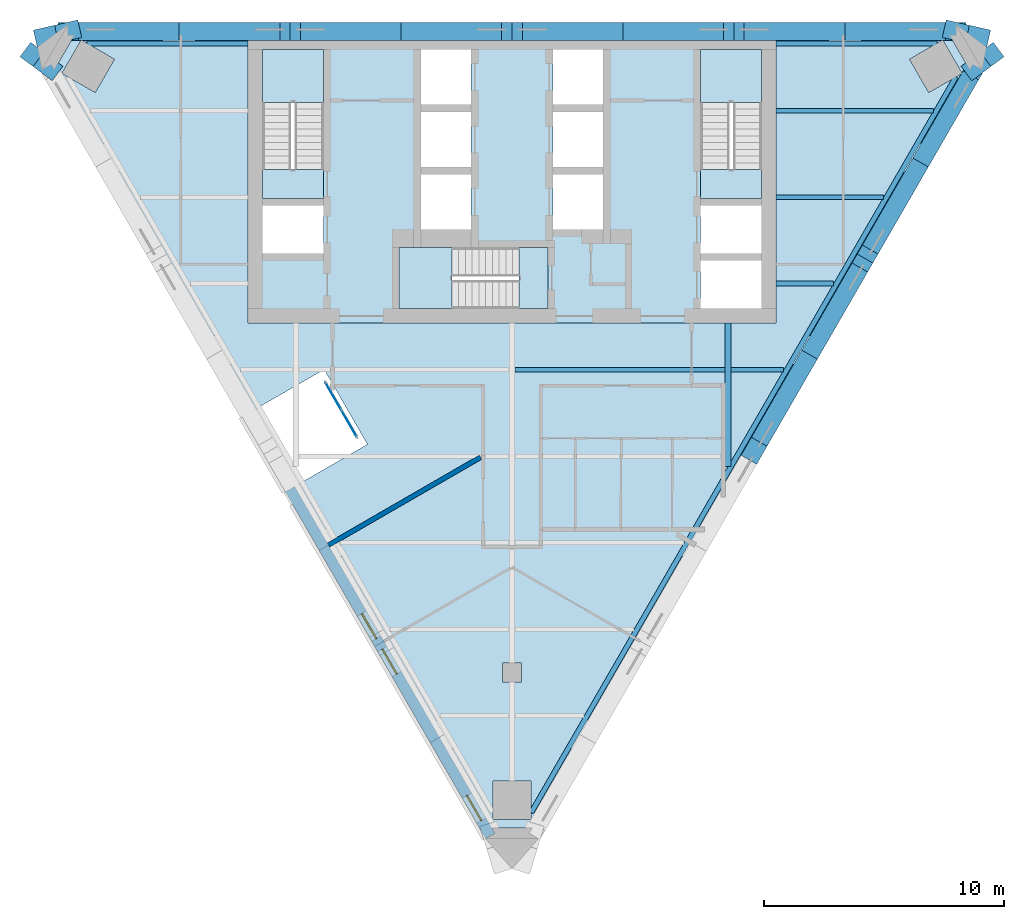
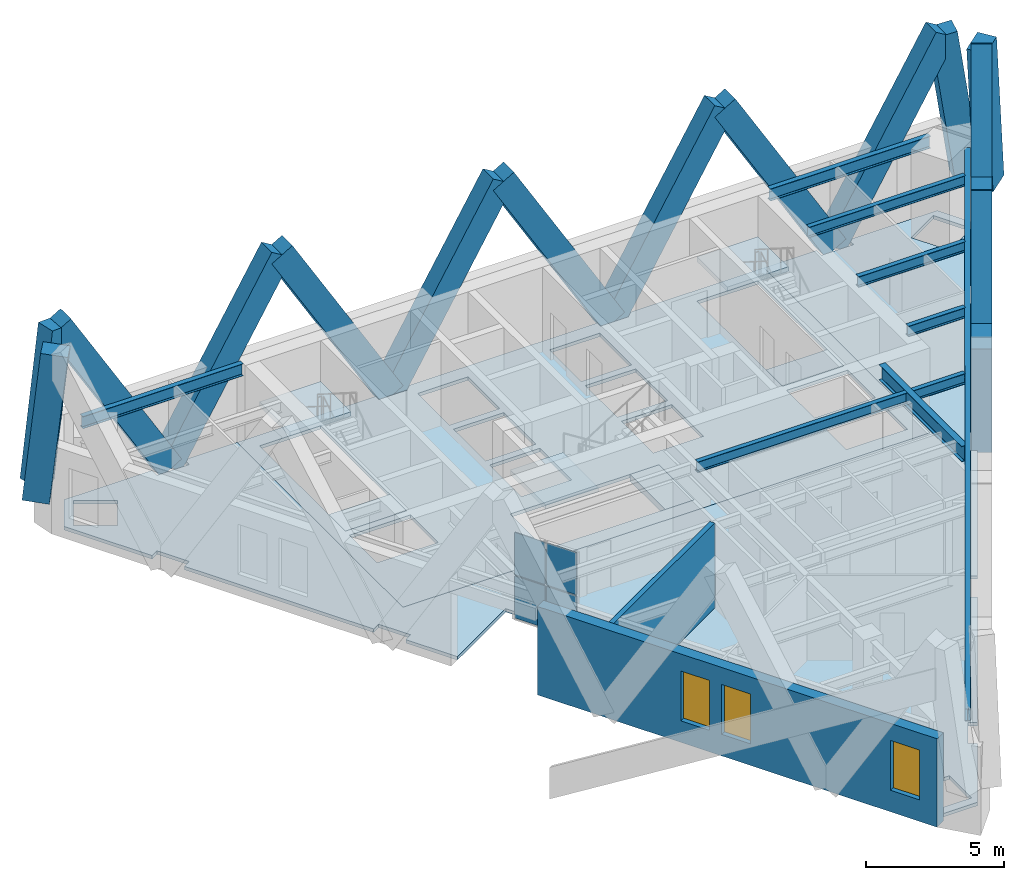
# One storey, part 3 of 8: 16 members, 9 beams, 8 slabs, 4 plates, 3 windows, 2 walls, 3 openings, 4 elements without a shape of their own.
"""IFC4 building model written with IfcOpenShell, lengths in metres."""

from ifc_helpers import new_model, si_unit, direction, frame, frame_2d, origin, origin_2d, place, context, subcontext, project, spatial, polyline, rectangle, i_section, outline, extrude, material, layer, layer_set, material_profile, profile_set, type_object, element, fill, aggregate, save


model = new_model("IFC4")

# Units and contexts
model_context = context("Model", 3, precision=1e-05, world=origin(), true_north=direction((0.0, 1.0)))
body_context = subcontext(model_context, "Body", "Model", "MODEL_VIEW")
ifc_project = project(units=[si_unit("LENGTHUNIT", "METRE"), si_unit("AREAUNIT", "SQUARE_METRE"), si_unit("VOLUMEUNIT", "CUBIC_METRE"), si_unit("PLANEANGLEUNIT", "RADIAN"), si_unit("MASSUNIT", "GRAM", prefix="KILO")], contexts=[model_context])

# Site, building, storey
site_placement = place(None, origin())
site = spatial("IfcSite", under=ifc_project, at=site_placement, CompositionType="ELEMENT")
building_placement = place(site_placement, origin())
building = spatial("IfcBuilding", under=site, at=building_placement, Name="Aloe Facet Convention Tower", CompositionType="ELEMENT")
storey_placement = place(building_placement, frame((0.0, 0.0, 262.10009765625)))
storey = spatial("IfcBuildingStorey", under=building, at=storey_placement, Name="L64", CompositionType="ELEMENT", Elevation=262.10009765625)

# Beams
ifc_material_1 = material(Name="Steel S355", Category="steel")
ifc_material_profile_1 = material_profile(ifc_material_1, i_section(OverallWidth=0.19140625, OverallDepth=0.4599609375, WebThickness=0.010009765625, FlangeThickness=0.01611328125, FilletRadius=0.01025390625, at=origin_2d()), Name="UB 457x191x82")
ifc_profile_set_1 = profile_set([ifc_material_profile_1], Name="Steel S355")
beam_type_1 = type_object("IfcBeamType", Name="SF-B-UB457x191x82", PredefinedType="BEAM", material=ifc_profile_set_1)
beam_1_placement = place(storey_placement, frame((80.12646484375, 120.60009765625, 3.52001953125), z_axis=(1.0, 0.0, 0.0), x_axis=(0.0, 1.0, 0.0)))
element("IfcBeam", 1, at=beam_1_placement, inside=storey, type_object=beam_type_1, Name="Floor beam FB-Z5B-022", PredefinedType="BEAM", context=body_context, shape_type="SweptSolid", body=[
    extrude(i_section(OverallWidth=0.19140625, OverallDepth=0.4599609375, WebThickness=0.010009765625, FlangeThickness=0.01611328125, FilletRadius=0.01025390625, at=origin_2d()), origin(), (0.0, 0.0, 1.0), 8.7470703125),
])
beam_2_placement = place(storey_placement, frame((89.12646484375, 120.60009765625, 3.52001953125), z_axis=(1.0, 0.0, 0.0), x_axis=(0.0, 1.0, 0.0)))
element("IfcBeam", 2, at=beam_2_placement, inside=storey, type_object=beam_type_1, Name="Floor beam FB-Z5B-023", PredefinedType="BEAM", context=body_context, shape_type="SweptSolid", body=[
    extrude(i_section(OverallWidth=0.19140625, OverallDepth=0.4599609375, WebThickness=0.010009765625, FlangeThickness=0.01611328125, FilletRadius=0.01025390625, at=origin_2d()), origin(), (0.0, 0.0, 1.0), 2.185791015625),
])
beam_3_placement = place(storey_placement, frame((91.0, 124.199951171875, 3.52001953125), z_axis=(1.0, 0.0, 0.0), x_axis=(0.0, 1.0, 0.0)))
element("IfcBeam", 3, at=beam_3_placement, inside=storey, type_object=beam_type_1, Name="Floor beam FB-Z5B-024", PredefinedType="BEAM", context=body_context, shape_type="SweptSolid", body=[
    extrude(i_section(OverallWidth=0.19140625, OverallDepth=0.4599609375, WebThickness=0.010009765625, FlangeThickness=0.01611328125, FilletRadius=0.01025390625, at=origin_2d()), origin(), (0.0, 0.0, 1.0), 2.390869140625),
])
beam_4_placement = place(storey_placement, frame((91.0, 127.800048828125, 3.52001953125), z_axis=(1.0, 0.0, 0.0), x_axis=(0.0, 1.0, 0.0)))
element("IfcBeam", 4, at=beam_4_placement, inside=storey, type_object=beam_type_1, Name="Floor beam FB-Z5B-025", PredefinedType="BEAM", context=body_context, shape_type="SweptSolid", body=[
    extrude(i_section(OverallWidth=0.19140625, OverallDepth=0.4599609375, WebThickness=0.010009765625, FlangeThickness=0.01611328125, FilletRadius=0.01025390625, at=origin_2d()), origin(), (0.0, 0.0, 1.0), 4.46923828125),
])
beam_5_placement = place(storey_placement, frame((91.0, 131.39990234375, 3.52001953125), z_axis=(1.0, 0.0, 0.0), x_axis=(0.0, 1.0, 0.0)))
element("IfcBeam", 5, at=beam_5_placement, inside=storey, type_object=beam_type_1, Name="Floor beam FB-Z5B-026", PredefinedType="BEAM", context=body_context, shape_type="SweptSolid", body=[
    extrude(i_section(OverallWidth=0.19140625, OverallDepth=0.4599609375, WebThickness=0.010009765625, FlangeThickness=0.01611328125, FilletRadius=0.01025390625, at=origin_2d()), origin(), (0.0, 0.0, 1.0), 6.547607421875),
])
ifc_material_2 = material(Name="Steel S355", Category="steel")
ifc_material_profile_2 = material_profile(ifc_material_2, i_section(OverallWidth=0.209228515625, OverallDepth=0.533203125, WebThickness=0.010009765625, FlangeThickness=0.015625, FilletRadius=0.0126953125, at=origin_2d()), Name="UB 533x210x92")
ifc_profile_set_2 = profile_set([ifc_material_profile_2], Name="Steel S355")
beam_type_2 = type_object("IfcBeamType", Name="SF-B-UB533x210x92", PredefinedType="BEAM", material=ifc_profile_set_2)
for number, where, z_axis, x_axis, name in (
    (6, (62.3076171875, 134.1953125, 3.4833984375), (1.0, 0.0, 0.0), (0.0, 1.0, 0.0), "Floor beam FB-Z5B-001"),
    (7, (91.0, 134.1953125, 3.4833984375), (1.0, 0.0, 0.0), (0.0, 1.0, 0.0), "Floor beam FB-Z5B-003"),
):
    element("IfcBeam", number, at=place(storey_placement, frame(where, z_axis=z_axis, x_axis=x_axis)), inside=storey, type_object=beam_type_2, Name=name, PredefinedType="BEAM", context=body_context, shape_type="SweptSolid", body=[
        extrude(i_section(OverallWidth=0.209228515625, OverallDepth=0.533203125, WebThickness=0.010009765625, FlangeThickness=0.015625, FilletRadius=0.0126953125, at=origin_2d()), origin(), (0.0, 0.0, 1.0), 6.6923828125),
    ])
beam_6_placement = place(storey_placement, frame((98.492431640625, 132.809814453125, 3.4833984375), z_axis=(-0.499997782969, -0.866026683784, 0.0), x_axis=(0.866026683784, -0.499997782969, 0.0)))
element("IfcBeam", 8, at=beam_6_placement, inside=storey, type_object=beam_type_2, Name="Floor beam FB-Z5B-004", PredefinedType="BEAM", context=body_context, shape_type="SweptSolid", body=[
    extrude(i_section(OverallWidth=0.209228515625, OverallDepth=0.533203125, WebThickness=0.010009765625, FlangeThickness=0.015625, FilletRadius=0.0126953125, at=origin_2d()), origin(), (0.0, 0.0, 1.0), 35.385009765625),
])
ifc_material_3 = material(Name="Steel S355", Category="steel")
ifc_material_profile_3 = material_profile(ifc_material_3, i_section(OverallWidth=0.2529296875, OverallDepth=0.677978515625, WebThickness=0.01171875, FlangeThickness=0.01611328125, FilletRadius=0.01513671875, at=origin_2d()), Name="UB 686x254x125")
ifc_profile_set_3 = profile_set([ifc_material_profile_3], Name="Steel S355")
beam_type_3 = type_object("IfcBeamType", Name="SF-B-UB686x254x125", PredefinedType="BEAM", material=ifc_profile_set_3)
beam_7_placement = place(storey_placement, frame((89.0, 122.550048828125, 3.410888671875), z_axis=(0.0, -1.0, 0.0), x_axis=(1.0, 0.0, 0.0)))
element("IfcBeam", 9, at=beam_7_placement, inside=storey, type_object=beam_type_3, Name="Floor beam FB-Z5B-008", PredefinedType="BEAM", context=body_context, shape_type="SweptSolid", body=[
    extrude(i_section(OverallWidth=0.2529296875, OverallDepth=0.677978515625, WebThickness=0.01171875, FlangeThickness=0.01611328125, FilletRadius=0.01513671875, at=origin_2d()), origin(), (0.0, 0.0, 1.0), 5.96240234375),
])

# Members
ifc_material_4 = material(Name="Concrete C60/75, bronze oxide finish", Category="concrete")
ifc_material_profile_4 = material_profile(ifc_material_4, rectangle(XDim=0.75, YDim=1.0, at=origin_2d()), Name="STW-LM")
ifc_profile_set_4 = profile_set([ifc_material_profile_4], Name="Concrete C60/75, bronze oxide finish")
member_type = type_object("IfcMemberType", Name="STW-LM", PredefinedType="BRACE", material=ifc_profile_set_4)
for number, where, z_axis, x_axis, name in (
    (10, (93.864501953125, 134.699951171875, 0.0), (0.509759577198, 0.0, 0.860316902923), (0.0, 1.0, 0.0), "Lattice member LM-Z5-F1-R3-01"),
    (11, (93.864501953125, 134.699951171875, 0.0), (-0.509739645668, 0.0, 0.860328712548), (0.0, -1.0, 0.0), "Lattice member LM-Z5-F1-R3-02"),
    (12, (84.62158203125, 134.699951171875, 0.0), (0.509759577198, 0.0, 0.860316902923), (0.0, 1.0, 0.0), "Lattice member LM-Z5-F1-R3-03"),
    (13, (84.62158203125, 134.699951171875, 0.0), (-0.509759577198, 0.0, 0.860316902923), (0.0, -1.0, 0.0), "Lattice member LM-Z5-F1-R3-04"),
    (14, (75.37841796875, 134.699951171875, 0.0), (0.509759577198, 0.0, 0.860316902923), (0.0, 1.0, 0.0), "Lattice member LM-Z5-F1-R3-05"),
    (15, (75.37841796875, 134.699951171875, 0.0), (-0.509759577198, 0.0, 0.860316902923), (0.0, -1.0, 0.0), "Lattice member LM-Z5-F1-R3-06"),
    (16, (66.135498046875, 134.699951171875, 0.0), (0.509739645668, 0.0, 0.860328712548), (0.0, 1.0, 0.0), "Lattice member LM-Z5-F1-R3-07"),
    (17, (66.135498046875, 134.699951171875, 0.0), (-0.509759577198, 0.0, 0.860316902923), (0.0, -1.0, 0.0), "Lattice member LM-Z5-F1-R3-08"),
    (18, (92.39404296875, 121.237548828125, 0.0), (-0.2548823971, -0.441446078781, 0.860325707612), (0.866014033677, -0.500019693086, 0.0), "Lattice member LM-Z5-F3-R3-05"),
    (19, (92.39404296875, 121.237548828125, 0.0), (0.254879367103, 0.441467759565, 0.860315480211), (-0.866027240882, 0.49999681804, 0.0), "Lattice member LM-Z5-F3-R3-06"),
    (20, (97.015625, 129.242431640625, 0.0), (-0.254879367103, -0.441467759565, 0.860315480211), (0.866027240882, -0.49999681804, 0.0), "Lattice member LM-Z5-F3-R3-07"),
    (21, (97.015625, 129.242431640625, 0.0), (0.2548823971, 0.441446078781, 0.860325707612), (-0.866014033677, 0.500019693086, 0.0), "Lattice member LM-Z5-F3-R3-08"),
):
    element("IfcMember", number, at=place(storey_placement, frame(where, z_axis=z_axis, x_axis=x_axis)), inside=storey, type_object=member_type, Name=name, PredefinedType="BRACE", context=body_context, shape_type="SweptSolid", body=[
        extrude(rectangle(XDim=0.75, YDim=1.0, at=origin_2d()), origin(), (0.0, 0.0, 1.0), 9.066162109375),
    ])
member_1_placement = place(storey_placement, frame((99.86962890625, 133.6494140625, 1.268310546875), z_axis=(-0.082724467416, -0.061643670551, 0.994664124402), x_axis=(0.59751767221, -0.801855742261, 0.0)))
element("IfcMember", 22, at=member_1_placement, inside=storey, type_object=member_type, Name="Lattice member LM-Z5-F6-R2-05", PredefinedType="BRACE", context=body_context, shape_type="SweptSolid", body=[
    extrude(rectangle(XDim=0.75, YDim=1.0, at=origin_2d()), origin(), (0.0, 0.0, 1.0), 6.566650390625),
])
for number, where, z_axis, x_axis, name in (
    (23, (99.369384765625, 134.498046875, 1.354736328125), (-0.135716044554, 0.031021881937, 0.990261984574), (-0.222832117727, -0.974856834263, 0.0), "Lattice member LM-Z5-F6-R2-06"),
    (24, (60.630615234375, 134.498046875, 1.354736328125), (0.135716044554, 0.031021881937, 0.990261984574), (-0.222832117727, 0.974856834263, 0.0), "Lattice member LM-Z5-F4-R2-05"),
):
    element("IfcMember", number, at=place(storey_placement, frame(where, z_axis=z_axis, x_axis=x_axis)), inside=storey, type_object=member_type, Name=name, PredefinedType="BRACE", context=body_context, shape_type="SweptSolid", body=[
        extrude(rectangle(XDim=0.75, YDim=1.0, at=origin_2d()), origin(), (0.0, 0.0, 1.0), 6.508544921875),
    ])
member_2_placement = place(storey_placement, frame((60.13037109375, 133.6494140625, 1.268310546875), z_axis=(0.082724467416, -0.061643670551, 0.994664124402), x_axis=(0.59751767221, 0.801855742261, 0.0)))
element("IfcMember", 25, at=member_2_placement, inside=storey, type_object=member_type, Name="Lattice member LM-Z5-F4-R2-06", PredefinedType="BRACE", context=body_context, shape_type="SweptSolid", body=[
    extrude(rectangle(XDim=0.75, YDim=1.0, at=origin_2d()), origin(), (0.0, 0.0, 1.0), 6.566650390625),
])

# Slabs
ifc_material_5 = material(Name="Concrete C50/60", Category="concrete")
ifc_layer_1 = layer(ifc_material_5, 0.14990234375)
ifc_layer_set_1 = layer_set([ifc_layer_1], Name="CR-S-FLOOR150-C5060")
slab_type_1 = type_object("IfcSlabType", Name="CR-S-FLOOR150-C5060", PredefinedType="FLOOR", material=ifc_layer_set_1)
slab_1_placement = place(storey_placement, frame((0.0, 0.0, -0.150146484375)))
element("IfcSlab", 26, at=slab_1_placement, inside=storey, type_object=slab_type_1, Name="Core floor L64", PredefinedType="FLOOR", context=body_context, shape_type="SweptSolid", body=[
    extrude(outline(polyline([(71.85009765625, 134.550048828125), (72.75, 134.550048828125), (75.60009765625, 134.550048828125), (76.5, 134.550048828125), (78.0, 134.550048828125), (78.89990234375, 134.550048828125), (81.10009765625, 134.550048828125), (82.0, 134.550048828125), (83.5, 134.550048828125), (84.39990234375, 134.550048828125), (87.25, 134.550048828125), (88.14990234375, 134.550048828125), (91.0, 134.550048828125), (91.0, 128.050048828125), (91.0, 127.14990234375), (91.0, 125.75), (91.0, 124.85009765625), (91.0, 122.550048828125), (88.14990234375, 122.550048828125), (87.25, 122.550048828125), (85.300048828125, 122.550048828125), (84.39990234375, 122.550048828125), (82.10009765625, 122.550048828125), (81.199951171875, 122.550048828125), (75.60009765625, 122.550048828125), (74.699951171875, 122.550048828125), (72.75, 122.550048828125), (71.85009765625, 122.550048828125), (69.0, 122.550048828125), (69.0, 124.85009765625), (69.0, 125.75), (69.0, 127.14990234375), (69.0, 128.050048828125), (69.0, 134.550048828125), (71.85009765625, 134.550048828125)]), holes=[polyline([(80.298828125, 123.14990234375), (81.5, 123.14990234375), (81.5, 125.699951171875), (80.298828125, 125.699951171875), (75.300048828125, 125.699951171875), (75.300048828125, 123.14990234375), (80.298828125, 123.14990234375)]), polyline([(69.60009765625, 125.449951171875), (72.14990234375, 125.449951171875), (72.14990234375, 127.449951171875), (69.60009765625, 127.449951171875), (69.60009765625, 125.449951171875)]), polyline([(76.199951171875, 126.449951171875), (78.300048828125, 126.449951171875), (78.300048828125, 128.75), (76.199951171875, 128.75), (76.199951171875, 126.449951171875)]), polyline([(78.300048828125, 129.050048828125), (78.300048828125, 131.35009765625), (76.199951171875, 131.35009765625), (76.199951171875, 129.050048828125), (78.300048828125, 129.050048828125)]), polyline([(69.60009765625, 133.949951171875), (69.60009765625, 128.951171875), (69.60009765625, 127.75), (72.14990234375, 127.75), (72.14990234375, 128.951171875), (72.14990234375, 133.949951171875), (69.60009765625, 133.949951171875)]), polyline([(76.199951171875, 131.64990234375), (78.300048828125, 131.64990234375), (78.300048828125, 133.949951171875), (76.199951171875, 133.949951171875), (76.199951171875, 131.64990234375)]), polyline([(90.39990234375, 123.14990234375), (90.39990234375, 125.14990234375), (87.85009765625, 125.14990234375), (87.85009765625, 123.14990234375), (90.39990234375, 123.14990234375)]), polyline([(87.85009765625, 125.449951171875), (90.39990234375, 125.449951171875), (90.39990234375, 127.449951171875), (87.85009765625, 127.449951171875), (87.85009765625, 125.449951171875)]), polyline([(81.699951171875, 126.449951171875), (83.800048828125, 126.449951171875), (83.800048828125, 128.75), (81.699951171875, 128.75), (81.699951171875, 126.449951171875)]), polyline([(83.800048828125, 129.050048828125), (83.800048828125, 131.35009765625), (81.699951171875, 131.35009765625), (81.699951171875, 129.050048828125), (83.800048828125, 129.050048828125)]), polyline([(87.85009765625, 133.949951171875), (87.85009765625, 128.951171875), (87.85009765625, 127.75), (90.39990234375, 127.75), (90.39990234375, 128.951171875), (90.39990234375, 133.949951171875), (87.85009765625, 133.949951171875)]), polyline([(81.699951171875, 131.64990234375), (83.800048828125, 131.64990234375), (83.800048828125, 133.949951171875), (81.699951171875, 133.949951171875), (81.699951171875, 131.64990234375)])]), origin(), (0.0, 0.0, 1.0), 0.150146484375),
])
ifc_material_6 = material(Name="Concrete C50/60", Category="concrete")
ifc_layer_2 = layer(ifc_material_6, 0.300048828125)
ifc_layer_set_2 = layer_set([ifc_layer_2], Name="CR-S-FLOOR300-C5060")
slab_type_2 = type_object("IfcSlabType", Name="CR-S-FLOOR300-C5060", PredefinedType="FLOOR", material=ifc_layer_set_2)
slab_2_placement = place(storey_placement, frame((0.0, 0.0, -0.300048828125)))
element("IfcSlab", 27, at=slab_2_placement, inside=storey, type_object=slab_type_2, Name="Stair landing floor L64", PredefinedType="FLOOR", context=body_context, shape_type="SweptSolid", body=[
    extrude(outline(polyline([(72.14990234375, 127.75), (72.14990234375, 128.951171875), (69.60009765625, 128.951171875), (69.60009765625, 127.75), (72.14990234375, 127.75)])), origin(), (0.0, 0.0, 1.0), 0.300048828125),
])
slab_3_placement = place(storey_placement, frame((0.0, 0.0, -0.300048828125)))
element("IfcSlab", 28, at=slab_3_placement, inside=storey, type_object=slab_type_2, Name="Stair landing floor L64", PredefinedType="FLOOR", context=body_context, shape_type="SweptSolid", body=[
    extrude(outline(polyline([(90.39990234375, 127.75), (90.39990234375, 128.951171875), (87.85009765625, 128.951171875), (87.85009765625, 127.75), (90.39990234375, 127.75)])), origin(), (0.0, 0.0, 1.0), 0.300048828125),
])
slab_4_placement = place(storey_placement, frame((0.0, 0.0, -0.300048828125)))
element("IfcSlab", 29, at=slab_4_placement, inside=storey, type_object=slab_type_2, Name="Stair landing floor L64", PredefinedType="FLOOR", context=body_context, shape_type="SweptSolid", body=[
    extrude(outline(polyline([(81.5, 125.699951171875), (80.298828125, 125.699951171875), (80.298828125, 123.14990234375), (81.5, 123.14990234375), (81.5, 125.699951171875)])), origin(), (0.0, 0.0, 1.0), 0.300048828125),
])

# Stair, slab
ifc_material_7 = material(Name="Concrete C50/60", Category="concrete")
stair_type = type_object("IfcStairType", Name="CR-ST-22R", PredefinedType="HALF_TURN_STAIR", material=ifc_material_7)
stair_1_placement = place(storey_placement, origin())
stair_1 = element("IfcStair", 30, at=stair_1_placement, inside=storey, type_object=stair_type, Name="L64 Protected exit stair ST1", PredefinedType="HALF_TURN_STAIR")
ifc_material_8 = material(Name="Concrete C50/60", Category="concrete")
ifc_layer_3 = layer(ifc_material_8, 0.199951171875)
ifc_layer_set_3 = layer_set([ifc_layer_3], Name="CR-SL-LANDING")
slab_type_3 = type_object("IfcSlabType", Name="CR-SL-LANDING", PredefinedType="LANDING", material=ifc_layer_set_3)
slab_5_placement = place(storey_placement, frame((0.0, 0.0, 1.75)))
slab_5 = element("IfcSlab", 31, at=slab_5_placement, type_object=slab_type_3, Name="ST1 landing 1", PredefinedType="LANDING", context=body_context, shape_type="SweptSolid", body=[
    extrude(outline(polyline([(72.14990234375, 131.75), (72.14990234375, 133.949951171875), (69.60009765625, 133.949951171875), (69.60009765625, 131.75), (72.14990234375, 131.75)])), origin(), (0.0, 0.0, 1.0), 0.199951171875),
])
aggregate(stair_1, [slab_5])

stair_2_placement = place(storey_placement, origin())
stair_2 = element("IfcStair", 32, at=stair_2_placement, inside=storey, type_object=stair_type, Name="L64 Protected exit stair ST2", PredefinedType="HALF_TURN_STAIR")
slab_6_placement = place(storey_placement, frame((0.0, 0.0, 1.75)))
slab_6 = element("IfcSlab", 33, at=slab_6_placement, type_object=slab_type_3, Name="ST2 landing 1", PredefinedType="LANDING", context=body_context, shape_type="SweptSolid", body=[
    extrude(outline(polyline([(90.39990234375, 131.75), (90.39990234375, 133.949951171875), (87.85009765625, 133.949951171875), (87.85009765625, 131.75), (90.39990234375, 131.75)])), origin(), (0.0, 0.0, 1.0), 0.199951171875),
])
aggregate(stair_2, [slab_6])

stair_3_placement = place(storey_placement, origin())
stair_3 = element("IfcStair", 34, at=stair_3_placement, inside=storey, type_object=stair_type, Name="L64 Protected exit stair ST3", PredefinedType="HALF_TURN_STAIR")
slab_7_placement = place(storey_placement, frame((0.0, 0.0, 1.75)))
slab_7 = element("IfcSlab", 35, at=slab_7_placement, type_object=slab_type_3, Name="ST3 landing 1", PredefinedType="LANDING", context=body_context, shape_type="SweptSolid", body=[
    extrude(outline(polyline([(77.5, 125.699951171875), (75.300048828125, 125.699951171875), (75.300048828125, 123.14990234375), (77.5, 123.14990234375), (77.5, 125.699951171875)])), origin(), (0.0, 0.0, 1.0), 0.199951171875),
])
aggregate(stair_3, [slab_7])

# Curtain wall, plates
ifc_material_9 = material(Name="Aluminium, anodised", Category="aluminium")
curtain_wall_type = type_object("IfcCurtainWallType", Name="EV-CW-TERRACE", PredefinedType="USERDEFINED", material=ifc_material_9)
curtain_wall_placement = place(storey_placement, origin())
curtain_wall = element("IfcCurtainWall", 36, at=curtain_wall_placement, inside=storey, type_object=curtain_wall_type, Name="CW-T14", ObjectType="TERRACE BACK GLAZING", PredefinedType="USERDEFINED")
ifc_material_10 = material(Name="Clear double glazing", Category="glass")
ifc_layer_4 = layer(ifc_material_10, 0.028076171875)
ifc_layer_set_4 = layer_set([ifc_layer_4], Name="EV-PANEL-TERRACE")
plate_type = type_object("IfcPlateType", Name="EV-PANEL-TERRACE", PredefinedType="CURTAIN_PANEL", material=ifc_layer_set_4)
plate_1_placement = place(storey_placement, frame((72.552978515625, 119.519287109375, -0.09033203125), z_axis=(0.0, 0.0, 1.0), x_axis=(0.50000000003, -0.866025403767, 0.0)))
plate_1 = element("IfcPlate", 37, at=plate_1_placement, type_object=plate_type, Name="CW-T14 panel 1.1", PredefinedType="CURTAIN_PANEL", context=body_context, shape_type="SweptSolid", body=[
    extrude(rectangle(XDim=1.260009765625, YDim=0.028076171875, at=origin_2d()), origin(), (0.0, 0.0, 1.0), 1.860107421875),
])
plate_2_placement = place(storey_placement, frame((72.552978515625, 119.519287109375, 1.830078125), z_axis=(0.0, 0.0, 1.0), x_axis=(0.50000000003, -0.866025403767, 0.0)))
plate_2 = element("IfcPlate", 38, at=plate_2_placement, type_object=plate_type, Name="CW-T14 panel 1.2", PredefinedType="CURTAIN_PANEL", context=body_context, shape_type="SweptSolid", body=[
    extrude(rectangle(XDim=1.260009765625, YDim=0.028076171875, at=origin_2d()), origin(), (0.0, 0.0, 1.0), 1.860107421875),
])
plate_3_placement = place(storey_placement, frame((73.212890625, 118.376220703125, -0.09033203125), z_axis=(0.0, 0.0, 1.0), x_axis=(0.50000000003, -0.866025403767, 0.0)))
plate_3 = element("IfcPlate", 39, at=plate_3_placement, type_object=plate_type, Name="CW-T14 panel 2.1", PredefinedType="CURTAIN_PANEL", context=body_context, shape_type="SweptSolid", body=[
    extrude(rectangle(XDim=1.260009765625, YDim=0.028076171875, at=origin_2d()), origin(), (0.0, 0.0, 1.0), 1.860107421875),
])
plate_4_placement = place(storey_placement, frame((73.212890625, 118.376220703125, 1.830078125), z_axis=(0.0, 0.0, 1.0), x_axis=(0.50000000003, -0.866025403767, 0.0)))
plate_4 = element("IfcPlate", 40, at=plate_4_placement, type_object=plate_type, Name="CW-T14 panel 2.2", PredefinedType="CURTAIN_PANEL", context=body_context, shape_type="SweptSolid", body=[
    extrude(rectangle(XDim=1.260009765625, YDim=0.028076171875, at=origin_2d()), origin(), (0.0, 0.0, 1.0), 1.860107421875),
])
aggregate(curtain_wall, [plate_1, plate_2, plate_3, plate_4])

# Slab
ifc_material_11 = material(Name="Concrete C35/45", Category="concrete")
ifc_layer_5 = layer(ifc_material_11, 0.14990234375)
ifc_layer_set_5 = layer_set([ifc_layer_5], Name="SF-FS-150")
slab_type_4 = type_object("IfcSlabType", Name="SF-FS-150", PredefinedType="FLOOR", material=ifc_layer_set_5)
slab_8_placement = place(storey_placement, frame((0.0, 0.0, -0.150146484375)))
element("IfcSlab", 41, at=slab_8_placement, inside=storey, type_object=slab_type_4, Name="Floor slab L64-1", PredefinedType="FLOOR", context=body_context, shape_type="SweptSolid", body=[
    extrude(outline(polyline([(61.773681640625, 134.550048828125), (65.46533203125, 134.550048828125), (65.46533203125, 134.199951171875), (65.55419921875, 134.199951171875), (65.882080078125, 134.199951171875), (66.135498046875, 134.199951171875), (66.135498046875, 134.199951171875), (66.388427734375, 134.199951171875), (66.716552734375, 134.199951171875), (66.805419921875, 134.199951171875), (66.805419921875, 134.550048828125), (69.0, 134.550048828125), (69.0, 128.050048828125), (69.0, 127.14990234375), (69.0, 125.75), (69.0, 124.85009765625), (69.0, 122.550048828125), (71.85009765625, 122.550048828125), (72.75, 122.550048828125), (74.699951171875, 122.550048828125), (75.60009765625, 122.550048828125), (81.199951171875, 122.550048828125), (82.10009765625, 122.550048828125), (84.39990234375, 122.550048828125), (85.300048828125, 122.550048828125), (87.25, 122.550048828125), (88.14990234375, 122.550048828125), (91.0, 122.550048828125), (91.0, 124.85009765625), (91.0, 125.75), (91.0, 127.14990234375), (91.0, 128.050048828125), (91.0, 134.550048828125), (93.194580078125, 134.550048828125), (93.194580078125, 134.199951171875), (93.283447265625, 134.199951171875), (93.611572265625, 134.199951171875), (93.864501953125, 134.199951171875), (93.864501953125, 134.199951171875), (94.117919921875, 134.199951171875), (94.44580078125, 134.199951171875), (94.53466796875, 134.199951171875), (94.53466796875, 134.550048828125), (98.226318359375, 134.550048828125), (99.06640625, 133.0947265625), (97.220703125, 129.897705078125), (96.91748046875, 130.07275390625), (96.708984375, 129.711669921875), (96.58251953125, 129.492431640625), (96.522705078125, 129.388671875), (96.24755859375, 128.912109375), (96.550537109375, 128.737060546875), (92.59912109375, 121.892822265625), (92.296142578125, 122.06787109375), (92.251708984375, 121.990966796875), (92.074951171875, 121.684814453125), (91.83447265625, 121.268310546875), (91.67041015625, 120.984375), (91.6259765625, 120.907470703125), (91.92919921875, 120.732421875), (87.9775390625, 113.88818359375), (87.674560546875, 114.063232421875), (87.630126953125, 113.986083984375), (87.339599609375, 113.48291015625), (87.075927734375, 113.026611328125), (87.048828125, 112.9794921875), (87.00439453125, 112.902587890625), (87.3076171875, 112.7275390625), (83.356201171875, 105.88330078125), (83.052978515625, 106.058349609375), (83.008544921875, 105.9814453125), (82.844482421875, 105.697509765625), (82.844482421875, 105.697509765625), (82.691162109375, 105.431640625), (82.427490234375, 104.974853515625), (82.3828125, 104.89794921875), (82.68603515625, 104.722900390625), (80.840087890625, 101.52587890625), (79.159912109375, 101.52587890625), (77.31396484375, 104.722900390625), (77.6171875, 104.89794921875), (77.572509765625, 104.974853515625), (77.294677734375, 105.456298828125), (77.281982421875, 105.478271484375), (77.142578125, 105.7197265625), (76.947021484375, 106.058349609375), (76.643798828125, 105.88330078125), (72.6923828125, 112.7275390625), (72.99560546875, 112.902587890625), (72.951171875, 112.9794921875), (72.855712890625, 113.14501953125), (72.660400390625, 113.48291015625), (72.597412109375, 113.59228515625), (72.533935546875, 113.7021484375), (72.40478515625, 113.926025390625), (72.369873046875, 113.986083984375), (72.325439453125, 114.063232421875), (72.0224609375, 113.88818359375), (70.946533203125, 115.75146484375), (73.977783203125, 117.50146484375), (72.177734375, 120.619140625), (69.146484375, 118.869140625), (68.07080078125, 120.732421875), (68.3740234375, 120.907470703125), (68.32958984375, 120.984375), (68.16552734375, 121.268310546875), (68.162353515625, 121.27392578125), (68.14013671875, 121.312255859375), (68.0390625, 121.487548828125), (67.912353515625, 121.706787109375), (67.748291015625, 121.990966796875), (67.703857421875, 122.06787109375), (67.40087890625, 121.892822265625), (63.449462890625, 128.737060546875), (63.75244140625, 128.912109375), (63.5439453125, 129.273193359375), (63.08251953125, 130.07275390625), (62.779296875, 129.897705078125), (60.93359375, 133.0947265625), (61.773681640625, 134.550048828125)]), holes=[polyline([(63.4423828125, 133.540283203125), (62.056640625, 134.340087890625), (61.256591796875, 132.95458984375), (62.642333984375, 132.154541015625), (63.4423828125, 133.540283203125)]), polyline([(79.199951171875, 103.475830078125), (79.199951171875, 101.875732421875), (80.800048828125, 101.875732421875), (80.800048828125, 103.475830078125), (79.199951171875, 103.475830078125)]), polyline([(79.60009765625, 107.60009765625), (80.39990234375, 107.60009765625), (80.39990234375, 108.39990234375), (79.60009765625, 108.39990234375), (79.60009765625, 107.60009765625)]), polyline([(97.357666015625, 132.154541015625), (98.743408203125, 132.95458984375), (97.943359375, 134.340087890625), (96.5576171875, 133.540283203125), (97.357666015625, 132.154541015625)])]), origin(), (0.0, 0.0, 1.0), 0.150146484375),
])

# Wall, openings, windows
ifc_material_12 = material(Name="Precast concrete C40/50", Category="concrete")
ifc_layer_6 = layer(ifc_material_12, 0.449951171875)
ifc_layer_set_6 = layer_set([ifc_layer_6], Name="EV-WALL-STONE")
wall_type_1 = type_object("IfcWallType", Name="EV-WALL-STONE", PredefinedType="SOLIDWALL", material=ifc_layer_set_6)
wall_1_placement = place(storey_placement, frame((70.751708984375, 115.638916015625, -0.150146484375), z_axis=(0.0, 0.0, 1.0), x_axis=(0.500006996263, -0.866021364453, 0.0)))
wall_1 = element("IfcWall", 42, at=wall_1_placement, inside=storey, type_object=wall_type_1, Name="EW-L64-W02", PredefinedType="SOLIDWALL", context=body_context, shape_type="SweptSolid", body=[
    extrude(outline(polyline([(16.68603515625, 3.900146484375), (16.68603515625, 0.0), (0.0, 0.0), (0.0, 3.900146484375), (16.68603515625, 3.900146484375)])), frame((0.0, 0.22509765625, 0.0), z_axis=(0.0, -1.0, 0.0), x_axis=(1.0, 0.0, 0.0)), (0.0, 0.0, 1.0), 0.449951171875),
])
opening_1_placement = place(wall_1_placement, frame((5.9931640625, 0.0, 0.949951171875)))
opening_1 = element("IfcOpeningElement", 43, at=opening_1_placement, cuts=wall_1, Name="Opening W-L64-W04", PredefinedType="OPENING", context=body_context, shape_type="SweptSolid", body=[
    extrude(rectangle(XDim=1.199951171875, YDim=2.199951171875, at=frame_2d((0.60009765625, 1.10009765625))), frame((0.0, 0.23486328125, 0.0), z_axis=(0.0, -1.0, 0.0), x_axis=(1.0, 0.0, 0.0)), (0.0, 0.0, 1.0), 0.469970703125),
])
opening_2_placement = place(wall_1_placement, frame((7.693115234375, 0.0, 0.949951171875)))
opening_2 = element("IfcOpeningElement", 44, at=opening_2_placement, cuts=wall_1, Name="Opening W-L64-W05", PredefinedType="OPENING", context=body_context, shape_type="SweptSolid", body=[
    extrude(rectangle(XDim=1.199951171875, YDim=2.199951171875, at=frame_2d((0.60009765625, 1.10009765625))), frame((0.0, 0.23486328125, 0.0), z_axis=(0.0, -1.0, 0.0), x_axis=(1.0, 0.0, 0.0)), (0.0, 0.0, 1.0), 0.469970703125),
])
opening_3_placement = place(wall_1_placement, frame((14.741943359375, 0.0, 0.949951171875)))
opening_3 = element("IfcOpeningElement", 45, at=opening_3_placement, cuts=wall_1, Name="Opening W-L64-W06", PredefinedType="OPENING", context=body_context, shape_type="SweptSolid", body=[
    extrude(rectangle(XDim=1.199951171875, YDim=2.199951171875, at=frame_2d((0.60009765625, 1.10009765625))), frame((0.0, 0.23486328125, 0.0), z_axis=(0.0, -1.0, 0.0), x_axis=(1.0, 0.0, 0.0)), (0.0, 0.0, 1.0), 0.469970703125),
])
ifc_material_13 = material(Name="Aluminium frame, clear double glazing", Category="aluminium")
window_type = type_object("IfcWindowType", Name="EV-WIN-O12", PartitioningType="SINGLE_PANEL", PredefinedType="WINDOW", material=ifc_material_13)
window_1_placement = place(opening_1_placement, origin())
window_1 = element("IfcWindow", 46, at=window_1_placement, inside=storey, type_object=window_type, Name="W-L64-W04", OverallHeight=2.199951171875, OverallWidth=1.199951171875, PartitioningType="SINGLE_PANEL", PredefinedType="WINDOW", context=body_context, shape_type="SweptSolid", body=[
    extrude(rectangle(XDim=1.199951171875, YDim=2.199951171875, at=frame_2d((0.60009765625, 1.10009765625))), frame((0.0, 0.030029296875, 0.0), z_axis=(0.0, -1.0, 0.0), x_axis=(1.0, 0.0, 0.0)), (0.0, 0.0, 1.0), 0.06005859375),
])
fill(opening_1, window_1)
window_2_placement = place(opening_2_placement, origin())
window_2 = element("IfcWindow", 47, at=window_2_placement, inside=storey, type_object=window_type, Name="W-L64-W05", OverallHeight=2.199951171875, OverallWidth=1.199951171875, PartitioningType="SINGLE_PANEL", PredefinedType="WINDOW", context=body_context, shape_type="SweptSolid", body=[
    extrude(rectangle(XDim=1.199951171875, YDim=2.199951171875, at=frame_2d((0.60009765625, 1.10009765625))), frame((0.0, 0.030029296875, 0.0), z_axis=(0.0, -1.0, 0.0), x_axis=(1.0, 0.0, 0.0)), (0.0, 0.0, 1.0), 0.06005859375),
])
fill(opening_2, window_2)
window_3_placement = place(opening_3_placement, origin())
window_3 = element("IfcWindow", 48, at=window_3_placement, inside=storey, type_object=window_type, Name="W-L64-W06", OverallHeight=2.199951171875, OverallWidth=1.199951171875, PartitioningType="SINGLE_PANEL", PredefinedType="WINDOW", context=body_context, shape_type="SweptSolid", body=[
    extrude(rectangle(XDim=1.199951171875, YDim=2.199951171875, at=frame_2d((0.60009765625, 1.10009765625))), frame((0.0, 0.030029296875, 0.0), z_axis=(0.0, -1.0, 0.0), x_axis=(1.0, 0.0, 0.0)), (0.0, 0.0, 1.0), 0.06005859375),
])
fill(opening_3, window_3)

# Wall
ifc_material_14 = material(Name="Gypsum board partition on steel studs", Category="steel")
ifc_layer_7 = layer(ifc_material_14, 0.199951171875)
ifc_layer_set_7 = layer_set([ifc_layer_7], Name="IN-W-PARTY")
wall_type_2 = type_object("IfcWallType", Name="IN-W-PARTY", PredefinedType="PARTITIONING", material=ifc_layer_set_7)
wall_2_placement = place(storey_placement, frame((72.357421875, 113.307861328125, 0.0), z_axis=(0.0, 0.0, 1.0), x_axis=(0.866016048378, 0.500016203689, 0.0)))
element("IfcWall", 49, at=wall_2_placement, inside=storey, type_object=wall_type_2, Name="Partition L64-W005", PredefinedType="PARTITIONING", context=body_context, shape_type="SweptSolid", body=[
    extrude(rectangle(XDim=7.314208984375, YDim=0.199951171875, at=frame_2d((3.6572265625, 0.0))), origin(), (0.0, 0.0, 1.0), 3.75),
])

save(model, "model.ifc")
